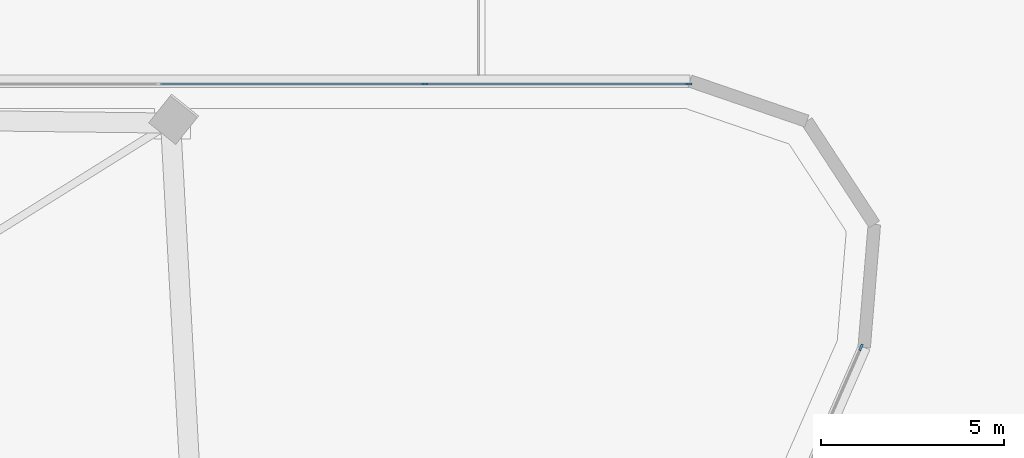
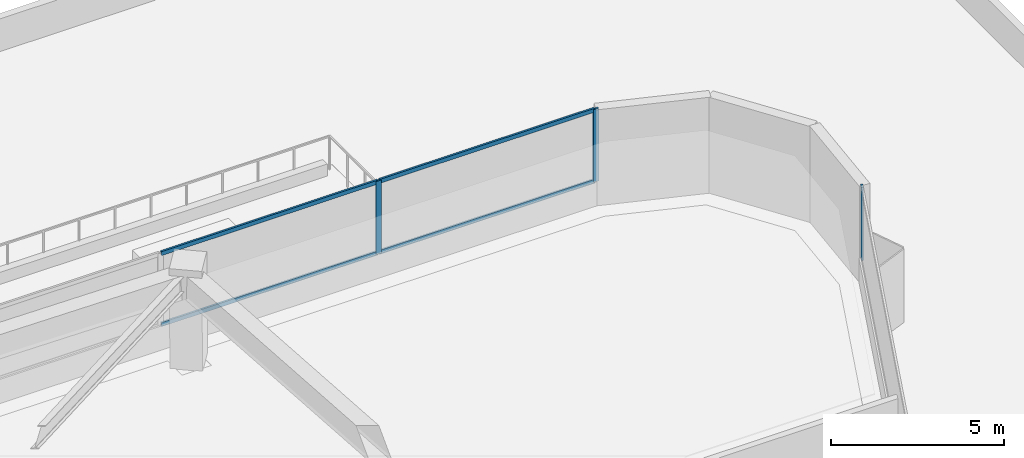
# One storey, part 11 of 21: 7 members, 2 elements without a shape of their own.
"""IFC4 building model written with IfcOpenShell, lengths in metres."""

from ifc_helpers import new_model, si_unit, direction, frame, origin, origin_2d, place, context, subcontext, project, spatial, rectangle, extrude, material, layer, layer_set, material_profile, profile_set, type_object, element, aggregate, save


model = new_model("IFC4")

# Units and contexts
model_context = context("Model", 3, precision=1e-05, world=origin(), true_north=direction((0.0, 1.0)))
body_context = subcontext(model_context, "Body", "Model", "MODEL_VIEW")
ifc_project = project(units=[si_unit("LENGTHUNIT", "METRE"), si_unit("AREAUNIT", "SQUARE_METRE"), si_unit("VOLUMEUNIT", "CUBIC_METRE"), si_unit("PLANEANGLEUNIT", "RADIAN"), si_unit("MASSUNIT", "GRAM", prefix="KILO")], contexts=[model_context])

# Site, building, storey
site_placement = place(None, origin())
site = spatial("IfcSite", under=ifc_project, at=site_placement, CompositionType="ELEMENT")
building_placement = place(site_placement, origin())
building = spatial("IfcBuilding", under=site, at=building_placement, Name="Talyreon Biosciences Tower", CompositionType="ELEMENT")
storey_placement = place(building_placement, frame((0.0, 0.0, 22.800048828125)))
storey = spatial("IfcBuildingStorey", under=building, at=storey_placement, Name="L05", CompositionType="ELEMENT", Elevation=22.800048828125)

# Curtain wall, members
ifc_material_1 = material(Name="Thermally broken aluminium and low-E glazing", Category="aluminium")
ifc_layer = layer(ifc_material_1, 0.195068359375)
ifc_layer_set = layer_set([ifc_layer], Name="Thermally broken aluminium and low-E glazing")
curtain_wall_type = type_object("IfcCurtainWallType", Name="CurtainWall_Zone1WetLab", PredefinedType="NOTDEFINED", material=ifc_layer_set)
curtain_wall_1_placement = place(storey_placement, origin())
curtain_wall_1 = element("IfcCurtainWall", 1, at=curtain_wall_1_placement, inside=storey, type_object=curtain_wall_type, Name="L05 Unitised Curtain Wall FCW-L05-04B", PredefinedType="NOTDEFINED")
ifc_material_2 = material(Name="Anodised thermally broken aluminium", Category="aluminium")
ifc_material_profile_1 = material_profile(ifc_material_2, rectangle(XDim=0.06494140625, YDim=0.179931640625, at=origin_2d()), Name="ALUM MULLION 65x180")
ifc_profile_set_1 = profile_set([ifc_material_profile_1], Name="Anodised thermally broken aluminium")
member_type_1 = type_object("IfcMemberType", Name="CWMullion_65x180", PredefinedType="MULLION", material=ifc_profile_set_1)
member_1_placement = place(storey_placement, frame((88.350830078125, 92.474365234375, 0.81005859375), z_axis=(0.0, 0.0, 1.0), x_axis=(0.0, 1.0, 0.0)))
member_1 = element("IfcMember", 2, at=member_1_placement, type_object=member_type_1, Name="CW2 mullion 5", PredefinedType="MULLION", context=body_context, shape_type="SweptSolid", body=[
    extrude(rectangle(XDim=0.06494140625, YDim=0.179931640625, at=origin_2d()), origin(), (0.0, 0.0, 1.0), 2.56494140625),
])
member_2_placement = place(storey_placement, frame((95.5791015625, 92.474365234375, 0.81005859375), z_axis=(0.0, 0.0, 1.0), x_axis=(0.0, 1.0, 0.0)))
member_2 = element("IfcMember", 3, at=member_2_placement, type_object=member_type_1, Name="CW2 mullion 6", PredefinedType="MULLION", context=body_context, shape_type="SweptSolid", body=[
    extrude(rectangle(XDim=0.06494140625, YDim=0.179931640625, at=origin_2d()), origin(), (0.0, 0.0, 1.0), 2.56494140625),
])

# Curtain wall, member
curtain_wall_2_placement = place(storey_placement, origin())
curtain_wall_2 = element("IfcCurtainWall", 4, at=curtain_wall_2_placement, inside=storey, type_object=curtain_wall_type, Name="L05 Unitised Curtain Wall FCW-L05-08", PredefinedType="NOTDEFINED")
member_3_placement = place(storey_placement, frame((100.2880859375, 85.26953125, 0.81005859375), z_axis=(0.0, 0.0, 1.0), x_axis=(0.915926900592, -0.401345129249, 0.0)))
member_3 = element("IfcMember", 5, at=member_3_placement, type_object=member_type_1, Name="CW2 mullion 1", PredefinedType="MULLION", context=body_context, shape_type="SweptSolid", body=[
    extrude(rectangle(XDim=0.06494140625, YDim=0.179931640625, at=origin_2d()), origin(), (0.0, 0.0, 1.0), 2.56494140625),
])
aggregate(curtain_wall_2, [member_3])

# Member
ifc_material_profile_2 = material_profile(ifc_material_2, rectangle(XDim=0.06494140625, YDim=0.139892578125, at=origin_2d()), Name="ALUM TRANSOM 65x140")
ifc_profile_set_2 = profile_set([ifc_material_profile_2], Name="Anodised thermally broken aluminium")
member_type_2 = type_object("IfcMemberType", Name="CWTransom_65x140", PredefinedType="USERDEFINED", material=ifc_profile_set_2)
member_4_placement = place(storey_placement, frame((81.122802734375, 92.474365234375, 0.842529296875), z_axis=(1.0, 0.0, 0.0), x_axis=(0.0, 1.0, 0.0)))
member_4 = element("IfcMember", 6, at=member_4_placement, type_object=member_type_2, Name="CW2 transom 4.1", ObjectType="TRANSOM", PredefinedType="USERDEFINED", context=body_context, shape_type="SweptSolid", body=[
    extrude(rectangle(XDim=0.06494140625, YDim=0.139892578125, at=origin_2d()), origin(), (0.0, 0.0, 1.0), 7.195556640625),
])

member_5_placement = place(storey_placement, frame((81.122802734375, 92.474365234375, 3.342529296875), z_axis=(1.0, 0.0, 0.0), x_axis=(0.0, 1.0, 0.0)))
member_5 = element("IfcMember", 7, at=member_5_placement, type_object=member_type_2, Name="CW2 transom 4.2", ObjectType="TRANSOM", PredefinedType="USERDEFINED", context=body_context, shape_type="SweptSolid", body=[
    extrude(rectangle(XDim=0.06494140625, YDim=0.139892578125, at=origin_2d()), origin(), (0.0, 0.0, 1.0), 7.195556640625),
])

member_6_placement = place(storey_placement, frame((88.38330078125, 92.474365234375, 0.842529296875), z_axis=(1.0, 0.0, 0.0), x_axis=(0.0, 1.0, 0.0)))
member_6 = element("IfcMember", 8, at=member_6_placement, type_object=member_type_2, Name="CW2 transom 5.1", ObjectType="TRANSOM", PredefinedType="USERDEFINED", context=body_context, shape_type="SweptSolid", body=[
    extrude(rectangle(XDim=0.06494140625, YDim=0.139892578125, at=origin_2d()), origin(), (0.0, 0.0, 1.0), 7.1630859375),
])

member_7_placement = place(storey_placement, frame((88.38330078125, 92.474365234375, 3.342529296875), z_axis=(1.0, 0.0, 0.0), x_axis=(0.0, 1.0, 0.0)))
member_7 = element("IfcMember", 9, at=member_7_placement, type_object=member_type_2, Name="CW2 transom 5.2", ObjectType="TRANSOM", PredefinedType="USERDEFINED", context=body_context, shape_type="SweptSolid", body=[
    extrude(rectangle(XDim=0.06494140625, YDim=0.139892578125, at=origin_2d()), origin(), (0.0, 0.0, 1.0), 7.1630859375),
])

aggregate(curtain_wall_1, [member_1, member_2, member_4, member_5, member_6, member_7])

save(model, "model.ifc")
